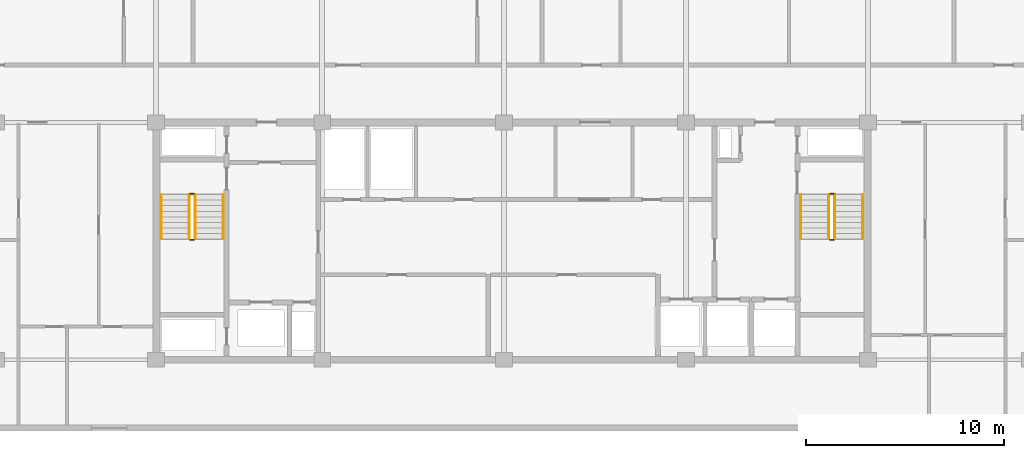
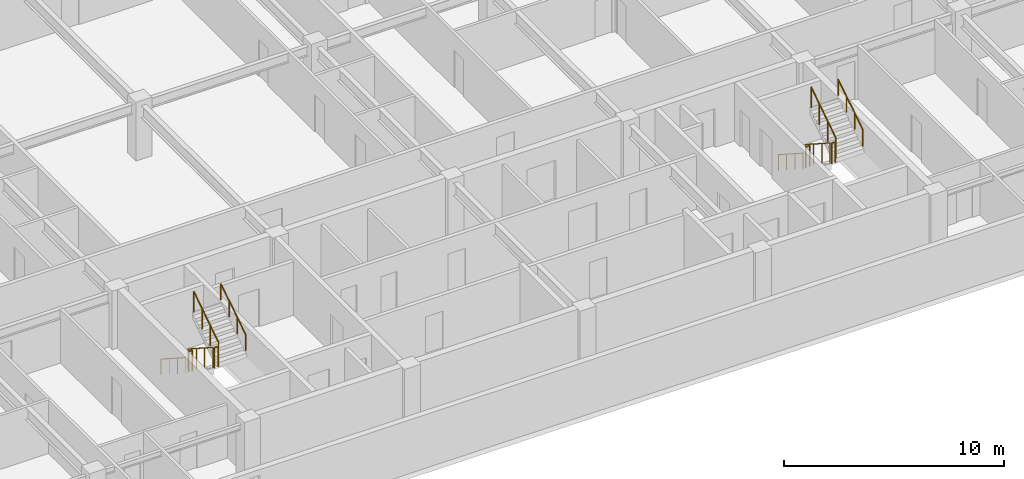
# One storey, part 21 of 22: 12 railings.
"""IFC4 building model written with IfcOpenShell, lengths in metres."""

from ifc_helpers import new_model, si_unit, direction, frame, origin, origin_2d, place, context, subcontext, project, spatial, circle, extrude, material, type_object, element, save


model = new_model("IFC4")

# Units and contexts
model_context = context("Model", 3, precision=1e-05, world=origin(), true_north=direction((0.0, 1.0)))
body_context = subcontext(model_context, "Body", "Model", "MODEL_VIEW")
ifc_project = project(units=[si_unit("LENGTHUNIT", "METRE"), si_unit("AREAUNIT", "SQUARE_METRE"), si_unit("VOLUMEUNIT", "CUBIC_METRE"), si_unit("PLANEANGLEUNIT", "RADIAN"), si_unit("MASSUNIT", "GRAM", prefix="KILO")], contexts=[model_context])

# Site, building, storey
site_placement = place(None, origin())
site = spatial("IfcSite", under=ifc_project, at=site_placement, CompositionType="ELEMENT")
building_placement = place(site_placement, origin())
building = spatial("IfcBuilding", under=site, at=building_placement, Name="Korimba Cascade Residences", CompositionType="ELEMENT")
storey_placement = place(building_placement, frame((0.0, 0.0, 197.85009765625)))
storey = spatial("IfcBuildingStorey", under=building, at=storey_placement, Name="L57", CompositionType="ELEMENT", Elevation=197.85009765625)

# Railings
ifc_material_1 = material(Name="Painted Steel Stairwell Guardrail", Category="steel")
railing_type_1 = type_object("IfcRailingType", Name="RLG-ST-GD1150", PredefinedType="GUARDRAIL", material=ifc_material_1)
railing_1_placement = place(storey_placement, frame((77.77001953125, 63.550048828125, 0.180419921875)))
element("IfcRailing", 1, at=railing_1_placement, inside=storey, type_object=railing_type_1, Name="L57 ST-W1 stair guard 1", PredefinedType="GUARDRAIL", context=body_context, shape_type="SweptSolid", body=[
    extrude(circle(Radius=0.02392578125, at=origin_2d()), frame((0.0, 0.0, 1.1259765625), z_axis=(0.0, -0.840394893359, 0.541974559565), x_axis=(1.0, 0.0, 0.0)), (0.0, 0.0, 1.0), 2.665283203125),
    extrude(circle(Radius=0.02099609375, at=origin_2d()), origin(), (0.0, 0.0, 1.0), 1.101806640625),
    extrude(circle(Radius=0.02099609375, at=origin_2d()), frame((0.0, -0.74658203125, 0.4814453125)), (0.0, 0.0, 1.0), 1.101806640625),
    extrude(circle(Radius=0.02099609375, at=origin_2d()), frame((0.0, -1.493408203125, 0.963134765625)), (0.0, 0.0, 1.0), 1.101806640625),
    extrude(circle(Radius=0.02099609375, at=origin_2d()), frame((0.0, -2.239990234375, 1.444580078125)), (0.0, 0.0, 1.0), 1.101806640625),
])
railing_2_placement = place(storey_placement, frame((77.820068359375, 61.260009765625, 1.625)))
element("IfcRailing", 2, at=railing_2_placement, inside=storey, type_object=railing_type_1, Name="L57 ST-W1 stair guard 2", PredefinedType="GUARDRAIL", context=body_context, shape_type="SweptSolid", body=[
    extrude(circle(Radius=0.02392578125, at=origin_2d()), frame((0.0, 0.0, 1.1259765625), z_axis=(1.0, 0.0, 0.0), x_axis=(0.0, 1.0, 0.0)), (0.0, 0.0, 1.0), 0.199951171875),
    extrude(circle(Radius=0.02099609375, at=origin_2d()), origin(), (0.0, 0.0, 1.0), 1.101806640625),
    extrude(circle(Radius=0.02099609375, at=origin_2d()), frame((0.199951171875, 0.0, 0.0)), (0.0, 0.0, 1.0), 1.101806640625),
])
railing_3_placement = place(storey_placement, frame((78.070068359375, 61.31005859375, 1.805419921875)))
element("IfcRailing", 3, at=railing_3_placement, inside=storey, type_object=railing_type_1, Name="L57 ST-W1 stair guard 3", PredefinedType="GUARDRAIL", context=body_context, shape_type="SweptSolid", body=[
    extrude(circle(Radius=0.02392578125, at=origin_2d()), frame((0.0, 0.0, 1.1259765625), z_axis=(0.0, 0.840394893359, 0.541974559565), x_axis=(-1.0, 0.0, 0.0)), (0.0, 0.0, 1.0), 2.665283203125),
    extrude(circle(Radius=0.02099609375, at=origin_2d()), origin(), (0.0, 0.0, 1.0), 1.101806640625),
    extrude(circle(Radius=0.02099609375, at=origin_2d()), frame((0.0, 0.74658203125, 0.4814453125)), (0.0, 0.0, 1.0), 1.101806640625),
    extrude(circle(Radius=0.02099609375, at=origin_2d()), frame((0.0, 1.493408203125, 0.963134765625)), (0.0, 0.0, 1.0), 1.101806640625),
    extrude(circle(Radius=0.02099609375, at=origin_2d()), frame((0.0, 2.239990234375, 1.444580078125)), (0.0, 0.0, 1.0), 1.101806640625),
])
railing_4_placement = place(storey_placement, frame((77.820068359375, 63.60009765625, 0.0)))
element("IfcRailing", 4, at=railing_4_placement, inside=storey, type_object=railing_type_1, Name="L57 ST-W1 stair guard 4", PredefinedType="GUARDRAIL", context=body_context, shape_type="SweptSolid", body=[
    extrude(circle(Radius=0.02392578125, at=origin_2d()), frame((0.0, 0.0, 1.1259765625), z_axis=(1.0, 0.0, 0.0), x_axis=(0.0, 1.0, 0.0)), (0.0, 0.0, 1.0), 0.199951171875),
    extrude(circle(Radius=0.02099609375, at=origin_2d()), origin(), (0.0, 0.0, 1.0), 1.101806640625),
    extrude(circle(Radius=0.02099609375, at=origin_2d()), frame((0.199951171875, 0.0, 0.0)), (0.0, 0.0, 1.0), 1.101806640625),
])
railing_5_placement = place(storey_placement, frame((110.1298828125, 63.550048828125, 0.180419921875)))
element("IfcRailing", 5, at=railing_5_placement, inside=storey, type_object=railing_type_1, Name="L57 ST-W2 stair guard 1", PredefinedType="GUARDRAIL", context=body_context, shape_type="SweptSolid", body=[
    extrude(circle(Radius=0.02392578125, at=origin_2d()), frame((0.0, 0.0, 1.1259765625), z_axis=(0.0, -0.840394893359, 0.541974559565), x_axis=(1.0, 0.0, 0.0)), (0.0, 0.0, 1.0), 2.665283203125),
    extrude(circle(Radius=0.02099609375, at=origin_2d()), origin(), (0.0, 0.0, 1.0), 1.101806640625),
    extrude(circle(Radius=0.02099609375, at=origin_2d()), frame((0.0, -0.74658203125, 0.4814453125)), (0.0, 0.0, 1.0), 1.101806640625),
    extrude(circle(Radius=0.02099609375, at=origin_2d()), frame((0.0, -1.493408203125, 0.963134765625)), (0.0, 0.0, 1.0), 1.101806640625),
    extrude(circle(Radius=0.02099609375, at=origin_2d()), frame((0.0, -2.239990234375, 1.444580078125)), (0.0, 0.0, 1.0), 1.101806640625),
])
railing_6_placement = place(storey_placement, frame((110.179931640625, 61.260009765625, 1.625)))
element("IfcRailing", 6, at=railing_6_placement, inside=storey, type_object=railing_type_1, Name="L57 ST-W2 stair guard 2", PredefinedType="GUARDRAIL", context=body_context, shape_type="SweptSolid", body=[
    extrude(circle(Radius=0.02392578125, at=origin_2d()), frame((0.0, 0.0, 1.1259765625), z_axis=(1.0, 0.0, 0.0), x_axis=(0.0, 1.0, 0.0)), (0.0, 0.0, 1.0), 0.199951171875),
    extrude(circle(Radius=0.02099609375, at=origin_2d()), origin(), (0.0, 0.0, 1.0), 1.101806640625),
    extrude(circle(Radius=0.02099609375, at=origin_2d()), frame((0.199951171875, 0.0, 0.0)), (0.0, 0.0, 1.0), 1.101806640625),
])
railing_7_placement = place(storey_placement, frame((110.429931640625, 61.31005859375, 1.805419921875)))
element("IfcRailing", 7, at=railing_7_placement, inside=storey, type_object=railing_type_1, Name="L57 ST-W2 stair guard 3", PredefinedType="GUARDRAIL", context=body_context, shape_type="SweptSolid", body=[
    extrude(circle(Radius=0.02392578125, at=origin_2d()), frame((0.0, 0.0, 1.1259765625), z_axis=(0.0, 0.840394893359, 0.541974559565), x_axis=(-1.0, 0.0, 0.0)), (0.0, 0.0, 1.0), 2.665283203125),
    extrude(circle(Radius=0.02099609375, at=origin_2d()), origin(), (0.0, 0.0, 1.0), 1.101806640625),
    extrude(circle(Radius=0.02099609375, at=origin_2d()), frame((0.0, 0.74658203125, 0.4814453125)), (0.0, 0.0, 1.0), 1.101806640625),
    extrude(circle(Radius=0.02099609375, at=origin_2d()), frame((0.0, 1.493408203125, 0.963134765625)), (0.0, 0.0, 1.0), 1.101806640625),
    extrude(circle(Radius=0.02099609375, at=origin_2d()), frame((0.0, 2.239990234375, 1.444580078125)), (0.0, 0.0, 1.0), 1.101806640625),
])
railing_8_placement = place(storey_placement, frame((110.179931640625, 63.60009765625, 0.0)))
element("IfcRailing", 8, at=railing_8_placement, inside=storey, type_object=railing_type_1, Name="L57 ST-W2 stair guard 4", PredefinedType="GUARDRAIL", context=body_context, shape_type="SweptSolid", body=[
    extrude(circle(Radius=0.02392578125, at=origin_2d()), frame((0.0, 0.0, 1.1259765625), z_axis=(1.0, 0.0, 0.0), x_axis=(0.0, 1.0, 0.0)), (0.0, 0.0, 1.0), 0.199951171875),
    extrude(circle(Radius=0.02099609375, at=origin_2d()), origin(), (0.0, 0.0, 1.0), 1.101806640625),
    extrude(circle(Radius=0.02099609375, at=origin_2d()), frame((0.199951171875, 0.0, 0.0)), (0.0, 0.0, 1.0), 1.101806640625),
])
ifc_material_2 = material(Name="Brushed Stainless Steel Handrail", Category="steel")
railing_type_2 = type_object("IfcRailingType", Name="RLG-ST-HR900", PredefinedType="HANDRAIL", material=ifc_material_2)
railing_9_placement = place(storey_placement, frame((76.35009765625, 63.550048828125, 0.36474609375)))
element("IfcRailing", 9, at=railing_9_placement, inside=storey, type_object=railing_type_2, Name="L57 ST-W1 stair handrail 1", PredefinedType="HANDRAIL", context=body_context, shape_type="SweptSolid", body=[
    extrude(circle(Radius=0.02392578125, at=origin_2d()), frame((0.0, 0.0, 0.8759765625), z_axis=(0.0, -0.840394893359, 0.541974559565), x_axis=(1.0, 0.0, 0.0)), (0.0, 0.0, 1.0), 2.665283203125),
    extrude(circle(Radius=0.02099609375, at=origin_2d()), origin(), (0.0, 0.0, 1.0), 0.851806640625),
    extrude(circle(Radius=0.02099609375, at=origin_2d()), frame((0.0, -0.74658203125, 0.4814453125)), (0.0, 0.0, 1.0), 0.851806640625),
    extrude(circle(Radius=0.02099609375, at=origin_2d()), frame((0.0, -1.493408203125, 0.963134765625)), (0.0, 0.0, 1.0), 0.851806640625),
    extrude(circle(Radius=0.02099609375, at=origin_2d()), frame((0.0, -2.239990234375, 1.444580078125)), (0.0, 0.0, 1.0), 0.851806640625),
])
railing_10_placement = place(storey_placement, frame((79.489990234375, 61.31005859375, 1.98974609375)))
element("IfcRailing", 10, at=railing_10_placement, inside=storey, type_object=railing_type_2, Name="L57 ST-W1 stair handrail 2", PredefinedType="HANDRAIL", context=body_context, shape_type="SweptSolid", body=[
    extrude(circle(Radius=0.02392578125, at=origin_2d()), frame((0.0, 0.0, 0.8759765625), z_axis=(0.0, 0.840394893359, 0.541974559565), x_axis=(-1.0, 0.0, 0.0)), (0.0, 0.0, 1.0), 2.665283203125),
    extrude(circle(Radius=0.02099609375, at=origin_2d()), origin(), (0.0, 0.0, 1.0), 0.851806640625),
    extrude(circle(Radius=0.02099609375, at=origin_2d()), frame((0.0, 0.74658203125, 0.4814453125)), (0.0, 0.0, 1.0), 0.851806640625),
    extrude(circle(Radius=0.02099609375, at=origin_2d()), frame((0.0, 1.493408203125, 0.963134765625)), (0.0, 0.0, 1.0), 0.851806640625),
    extrude(circle(Radius=0.02099609375, at=origin_2d()), frame((0.0, 2.239990234375, 1.444580078125)), (0.0, 0.0, 1.0), 0.851806640625),
])
railing_11_placement = place(storey_placement, frame((108.7099609375, 63.550048828125, 0.36474609375)))
element("IfcRailing", 11, at=railing_11_placement, inside=storey, type_object=railing_type_2, Name="L57 ST-W2 stair handrail 1", PredefinedType="HANDRAIL", context=body_context, shape_type="SweptSolid", body=[
    extrude(circle(Radius=0.02392578125, at=origin_2d()), frame((0.0, 0.0, 0.8759765625), z_axis=(0.0, -0.840394893359, 0.541974559565), x_axis=(1.0, 0.0, 0.0)), (0.0, 0.0, 1.0), 2.665283203125),
    extrude(circle(Radius=0.02099609375, at=origin_2d()), origin(), (0.0, 0.0, 1.0), 0.851806640625),
    extrude(circle(Radius=0.02099609375, at=origin_2d()), frame((0.0, -0.74658203125, 0.4814453125)), (0.0, 0.0, 1.0), 0.851806640625),
    extrude(circle(Radius=0.02099609375, at=origin_2d()), frame((0.0, -1.493408203125, 0.963134765625)), (0.0, 0.0, 1.0), 0.851806640625),
    extrude(circle(Radius=0.02099609375, at=origin_2d()), frame((0.0, -2.239990234375, 1.444580078125)), (0.0, 0.0, 1.0), 0.851806640625),
])
railing_12_placement = place(storey_placement, frame((111.85009765625, 61.31005859375, 1.98974609375)))
element("IfcRailing", 12, at=railing_12_placement, inside=storey, type_object=railing_type_2, Name="L57 ST-W2 stair handrail 2", PredefinedType="HANDRAIL", context=body_context, shape_type="SweptSolid", body=[
    extrude(circle(Radius=0.02392578125, at=origin_2d()), frame((0.0, 0.0, 0.8759765625), z_axis=(0.0, 0.840394893359, 0.541974559565), x_axis=(-1.0, 0.0, 0.0)), (0.0, 0.0, 1.0), 2.665283203125),
    extrude(circle(Radius=0.02099609375, at=origin_2d()), origin(), (0.0, 0.0, 1.0), 0.851806640625),
    extrude(circle(Radius=0.02099609375, at=origin_2d()), frame((0.0, 0.74658203125, 0.4814453125)), (0.0, 0.0, 1.0), 0.851806640625),
    extrude(circle(Radius=0.02099609375, at=origin_2d()), frame((0.0, 1.493408203125, 0.963134765625)), (0.0, 0.0, 1.0), 0.851806640625),
    extrude(circle(Radius=0.02099609375, at=origin_2d()), frame((0.0, 2.239990234375, 1.444580078125)), (0.0, 0.0, 1.0), 0.851806640625),
])

save(model, "model.ifc")
